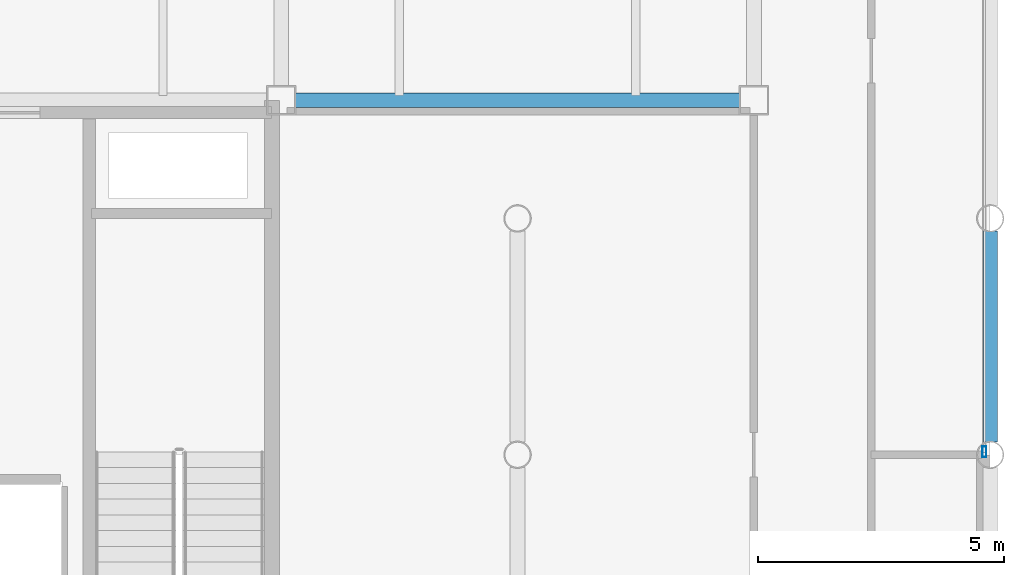
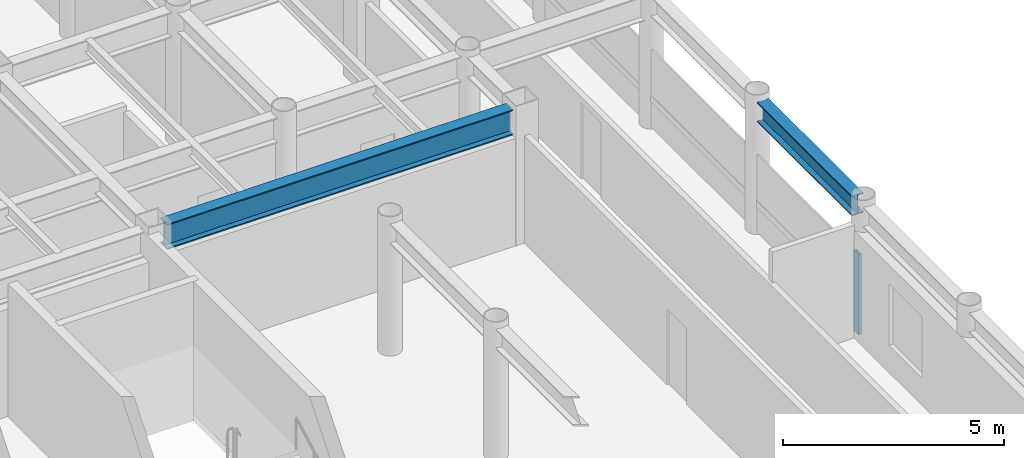
# One storey, part 10 of 22: 2 beams, 1 member, 1 element without a shape of its own.
"""IFC4 building model written with IfcOpenShell, lengths in metres."""

from ifc_helpers import new_model, si_unit, direction, frame, origin, origin_2d, place, context, subcontext, project, spatial, hollow_rectangle, i_section, extrude, material, layer, layer_set, material_profile, profile_set, type_object, element, aggregate, save


model = new_model("IFC4")

# Units and contexts
model_context = context("Model", 3, precision=1e-05, world=origin(), true_north=direction((0.0, 1.0)))
body_context = subcontext(model_context, "Body", "Model", "MODEL_VIEW")
ifc_project = project(units=[si_unit("LENGTHUNIT", "METRE"), si_unit("AREAUNIT", "SQUARE_METRE"), si_unit("VOLUMEUNIT", "CUBIC_METRE"), si_unit("PLANEANGLEUNIT", "RADIAN"), si_unit("MASSUNIT", "GRAM", prefix="KILO")], contexts=[model_context])

# Site, building, storey
site_placement = place(None, origin())
site = spatial("IfcSite", under=ifc_project, at=site_placement, CompositionType="ELEMENT")
building_placement = place(site_placement, origin())
building = spatial("IfcBuilding", under=site, at=building_placement, Name="Kallvorn Hotel Tower", CompositionType="ELEMENT")
storey_placement = place(building_placement, frame((0.0, 0.0, 253.10009765625)))
storey = spatial("IfcBuildingStorey", under=building, at=storey_placement, Name="L63", CompositionType="ELEMENT", Elevation=253.10009765625)

# Beams
ifc_material_1 = material(Name="Structural steel S355JR", Category="steel")
ifc_material_profile_1 = material_profile(ifc_material_1, i_section(OverallWidth=0.300048828125, OverallDepth=0.550048828125, WebThickness=0.014892578125, FlangeThickness=0.029052734375, at=origin_2d()), Name="HE 550 B")
ifc_profile_set_1 = profile_set([ifc_material_profile_1], Name="Structural steel S355JR")
beam_type_1 = type_object("IfcBeamType", Name="BM_HE550B", PredefinedType="SPANDREL", material=ifc_profile_set_1)
beam_1_placement = place(storey_placement, frame((28.800048828125, 0.25439453125, 3.39501953125), z_axis=(0.0, 1.0, 0.0), x_axis=(-1.0, 0.0, 0.0)))
element("IfcBeam", 1, at=beam_1_placement, inside=storey, type_object=beam_type_1, Name="L64 Primary Y-Girder 147", PredefinedType="SPANDREL", context=body_context, shape_type="SweptSolid", body=[
    extrude(i_section(OverallWidth=0.300048828125, OverallDepth=0.550048828125, WebThickness=0.014892578125, FlangeThickness=0.029052734375, at=origin_2d()), origin(), (0.0, 0.0, 1.0), 4.291015625),
])
ifc_material_2 = material(Name="Structural steel S355JR", Category="steel")
ifc_material_profile_2 = material_profile(ifc_material_2, i_section(OverallWidth=0.300048828125, OverallDepth=0.699951171875, WebThickness=0.01708984375, FlangeThickness=0.031982421875, at=origin_2d()), Name="HE 700 B")
ifc_profile_set_2 = profile_set([ifc_material_profile_2], Name="Structural steel S355JR")
beam_type_2 = type_object("IfcBeamType", Name="BM_HE700B", PredefinedType="BEAM", material=ifc_profile_set_2)
beam_2_placement = place(storey_placement, frame((14.675048828125, 7.199951171875, 3.31982421875), z_axis=(1.0, 0.0, 0.0), x_axis=(0.0, 1.0, 0.0)))
element("IfcBeam", 2, at=beam_2_placement, inside=storey, type_object=beam_type_2, Name="L64 Primary X-Girder 40", PredefinedType="BEAM", context=body_context, shape_type="SweptSolid", body=[
    extrude(i_section(OverallWidth=0.300048828125, OverallDepth=0.699951171875, WebThickness=0.01708984375, FlangeThickness=0.031982421875, at=origin_2d()), origin(), (0.0, 0.0, 1.0), 9.050048828125),
])

# Curtain wall, member
ifc_material_3 = material(Name="Thermally broken black-anodised aluminium AA 6063-T6", Category="aluminium")
ifc_layer = layer(ifc_material_3, 0.22998046875)
ifc_layer_set = layer_set([ifc_layer], Name="CW_SYS_5_HOTEL_HIGH")
curtain_wall_type = type_object("IfcCurtainWallType", Name="CW_SYS_5_HOTEL_HIGH", PredefinedType="USERDEFINED", material=ifc_layer_set)
curtain_wall_placement = place(storey_placement, origin())
curtain_wall = element("IfcCurtainWall", 3, at=curtain_wall_placement, inside=storey, type_object=curtain_wall_type, Name="L63 Dark-Glass Curtain Wall CW-L63-EN", ObjectType="UNITISED CURTAIN WALL", PredefinedType="USERDEFINED")
ifc_material_4 = material(Name="Thermally broken black-anodised aluminium AA 6063-T6", Category="aluminium")
ifc_material_profile_3 = material_profile(ifc_material_4, hollow_rectangle(XDim=0.080078125, YDim=0.219970703125, WallThickness=0.0048828125, at=origin_2d()), Name="MUL 220x80")
ifc_profile_set_3 = profile_set([ifc_material_profile_3], Name="Thermally broken black-anodised aluminium AA 6063-T6")
member_type = type_object("IfcMemberType", Name="CW_MULLION_220x80", PredefinedType="MULLION", material=ifc_profile_set_3)
member_placement = place(storey_placement, frame((28.679931640625, 0.06005859375, 0.02001953125), z_axis=(0.0, 0.0, 1.0), x_axis=(1.0, 0.0, 0.0)))
member = element("IfcMember", 4, at=member_placement, type_object=member_type, Name="CW-L63-EN Mullion 00", PredefinedType="MULLION", context=body_context, shape_type="SweptSolid", body=[
    extrude(hollow_rectangle(XDim=0.080078125, YDim=0.219970703125, WallThickness=0.0048828125, at=origin_2d()), origin(), (0.0, 0.0, 1.0), 2.22998046875),
])
aggregate(curtain_wall, [member])

save(model, "model.ifc")
